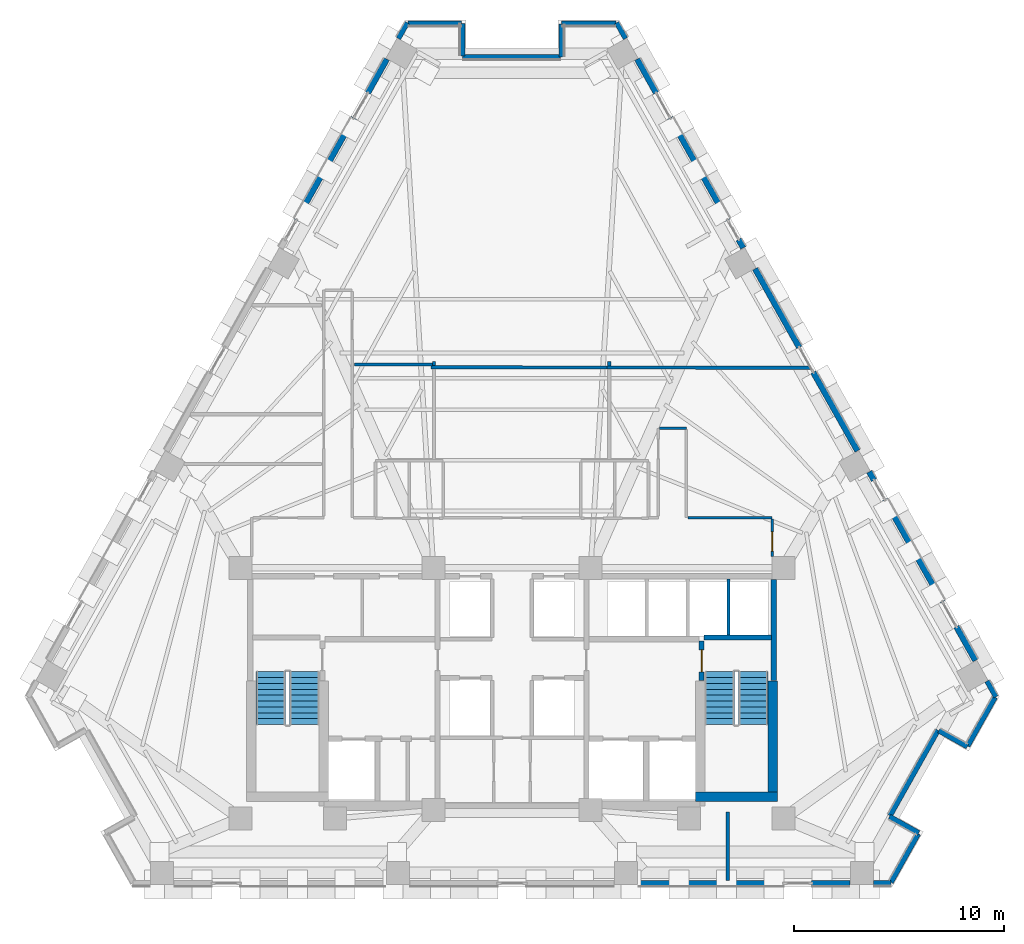
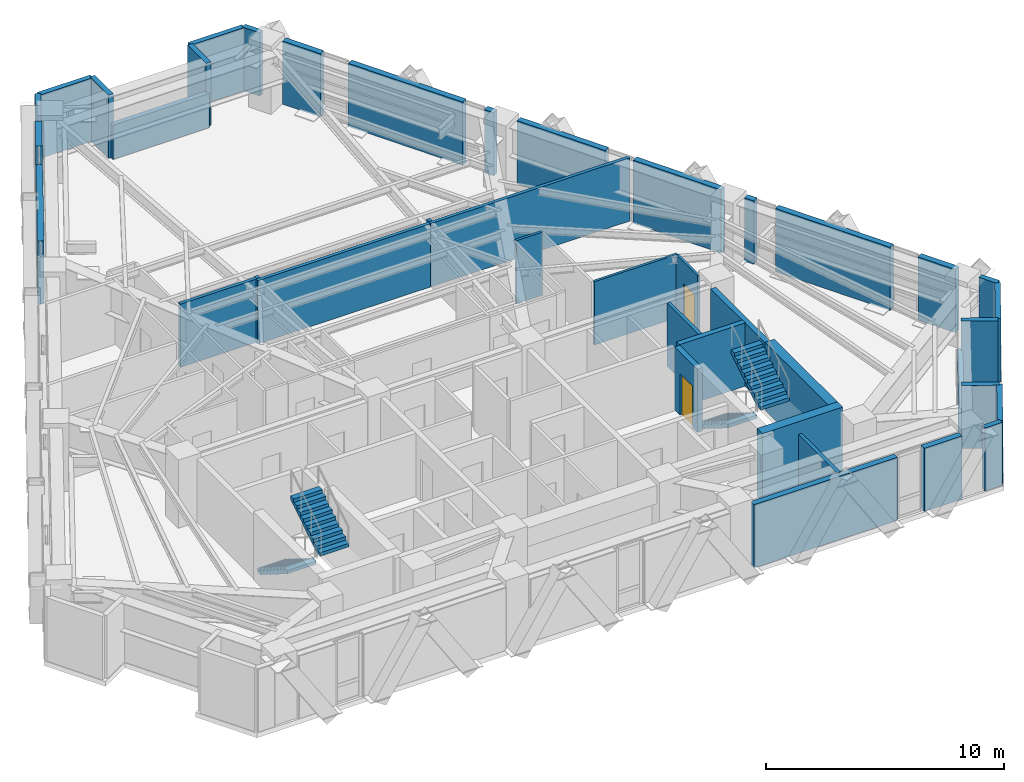
# One storey, part 9 of 13: 41 walls, 4 stair flights, 2 doors, 2 openings, 2 elements without a shape of their own.
"""IFC4 building model written with IfcOpenShell, lengths in metres."""

from ifc_helpers import new_model, si_unit, direction, frame, frame_2d, origin, place, context, subcontext, project, spatial, polyline, rectangle, outline, extrude, material, layer, layer_set, type_object, element, fill, aggregate, save


model = new_model("IFC4")

# Units and contexts
model_context = context("Model", 3, precision=1e-05, world=origin(), true_north=direction((0.0, 1.0)))
body_context = subcontext(model_context, "Body", "Model", "MODEL_VIEW")
ifc_project = project(units=[si_unit("LENGTHUNIT", "METRE"), si_unit("AREAUNIT", "SQUARE_METRE"), si_unit("VOLUMEUNIT", "CUBIC_METRE"), si_unit("PLANEANGLEUNIT", "RADIAN"), si_unit("MASSUNIT", "GRAM", prefix="KILO")], contexts=[model_context])

# Site, building, storey
site_placement = place(None, origin())
site = spatial("IfcSite", under=ifc_project, at=site_placement, CompositionType="ELEMENT")
building_placement = place(site_placement, origin())
building = spatial("IfcBuilding", under=site, at=building_placement, Name="Quenlor Broadcast Tower", CompositionType="ELEMENT")
storey_placement = place(building_placement, frame((0.0, 0.0, 126.5)))
storey = spatial("IfcBuildingStorey", under=building, at=storey_placement, Name="L34", CompositionType="ELEMENT", Elevation=126.5)

# Walls
ifc_material_1 = material(Name="Concrete C50/60", Category="concrete")
ifc_layer_1 = layer(ifc_material_1, 0.449951171875)
ifc_layer_set_1 = layer_set([ifc_layer_1], Name="Core Concrete C50/60 Shear Wall 450")
wall_type_1 = type_object("IfcWallType", Name="Core Concrete C50/60 Shear Wall 450", PredefinedType="SHEAR", material=ifc_layer_set_1)
wall_1_placement = place(storey_placement, frame((8.75, -15.72509765625, 0.0), z_axis=(0.0, 0.0, 1.0), x_axis=(1.0, 0.0, 0.0)))
element("IfcWall", 1, at=wall_1_placement, inside=storey, type_object=wall_type_1, Name="L34 Core Shear Wall WS-E2", PredefinedType="SHEAR", context=body_context, shape_type="SweptSolid", body=[
    extrude(rectangle(XDim=3.89990234375, YDim=0.449951171875, at=frame_2d((1.949951171875, 0.0))), origin(), (0.0, 0.0, 1.0), 3.5),
])
wall_2_placement = place(storey_placement, frame((12.425048828125, -15.72509765625, 0.0), z_axis=(0.0, 0.0, 1.0), x_axis=(0.0, 1.0, 0.0)))
element("IfcWall", 2, at=wall_2_placement, inside=storey, type_object=wall_type_1, Name="L34 Core Shear Wall WF-E", PredefinedType="SHEAR", context=body_context, shape_type="SweptSolid", body=[
    extrude(rectangle(XDim=5.525146484375, YDim=0.449951171875, at=frame_2d((2.7626953125, 0.0))), origin(), (0.0, 0.0, 1.0), 3.5),
])

# Wall, opening, door
ifc_material_2 = material(Name="Concrete C40/50", Category="concrete")
ifc_layer_2 = layer(ifc_material_2, 0.25)
ifc_layer_set_2 = layer_set([ifc_layer_2], Name="Fire Rated Concrete C40/50 Core Wall 250")
wall_type_2 = type_object("IfcWallType", Name="Fire Rated Concrete C40/50 Core Wall 250", PredefinedType="PARTITIONING", material=ifc_layer_set_2)
wall_3_placement = place(storey_placement, frame((9.0400390625, -10.179931640625, 0.0), z_axis=(0.0, 0.0, 1.0), x_axis=(0.0, 1.0, 0.0)))
wall_3 = element("IfcWall", 3, at=wall_3_placement, inside=storey, type_object=wall_type_2, Name="L34 Interior Wall CW-ST2-DR", PredefinedType="PARTITIONING", context=body_context, shape_type="SweptSolid", body=[
    extrude(rectangle(XDim=1.89990234375, YDim=0.25, at=frame_2d((0.949951171875, 0.0))), origin(), (0.0, 0.0, 1.0), 3.25),
])
opening_1_placement = place(wall_3_placement, frame((0.419921875, 0.0, 0.0)))
opening_1 = element("IfcOpeningElement", 4, at=opening_1_placement, cuts=wall_3, Name="Opening FD-1", PredefinedType="OPENING", context=body_context, shape_type="SweptSolid", body=[
    extrude(rectangle(XDim=1.050048828125, YDim=2.14990234375, at=frame_2d((0.52490234375, 1.074951171875))), frame((0.0, 0.135009765625, 0.0), z_axis=(0.0, -1.0, 0.0), x_axis=(1.0, 0.0, 0.0)), (0.0, 0.0, 1.0), 0.27001953125),
])
ifc_material_3 = material(Name="Fire Rated Steel Door Leaf", Category="steel")
door_type_1 = type_object("IfcDoorType", Name="Fire Isolated Stair Door 1050x2150", OperationType="NOTDEFINED", PredefinedType="DOOR", material=ifc_material_3)
door_1_placement = place(opening_1_placement, origin())
door_1 = element("IfcDoor", 5, at=door_1_placement, inside=storey, type_object=door_type_1, Name="L34 Door DR-ST2", OperationType="SINGLE_SWING_RIGHT", OverallHeight=2.14990234375, OverallWidth=1.050048828125, PredefinedType="DOOR", context=body_context, shape_type="SweptSolid", body=[
    extrude(rectangle(XDim=1.050048828125, YDim=2.14990234375, at=frame_2d((0.52490234375, 1.074951171875))), frame((0.0, 0.02490234375, 0.0), z_axis=(0.0, -1.0, 0.0), x_axis=(1.0, 0.0, 0.0)), (0.0, 0.0, 1.0), 0.050048828125),
])
fill(opening_1, door_1)

# Walls
wall_4_placement = place(storey_placement, frame((9.159912109375, -8.1201171875, 0.0), z_axis=(0.0, 0.0, 1.0), x_axis=(1.0, 0.0, 0.0)))
element("IfcWall", 6, at=wall_4_placement, inside=storey, type_object=wall_type_2, Name="L34 Interior Wall CW-ST2-N", PredefinedType="PARTITIONING", context=body_context, shape_type="SweptSolid", body=[
    extrude(rectangle(XDim=3.219970703125, YDim=0.25, at=frame_2d((1.60986328125, 0.0))), origin(), (0.0, 0.0, 1.0), 3.25),
])
wall_5_placement = place(storey_placement, frame((12.47998046875, -10.179931640625, 0.0), z_axis=(0.0, 0.0, 1.0), x_axis=(0.0, 1.0, 0.0)))
element("IfcWall", 7, at=wall_5_placement, inside=storey, type_object=wall_type_2, Name="L34 Interior Wall CW-ST2-E2", PredefinedType="PARTITIONING", context=body_context, shape_type="SweptSolid", body=[
    extrude(rectangle(XDim=4.827880859375, YDim=0.25, at=frame_2d((2.4140625, 0.0))), origin(), (0.0, 0.0, 1.0), 3.25),
])
ifc_material_4 = material(Name="Gypsum Fireboard Partition", Category="other")
ifc_layer_3 = layer(ifc_material_4, 0.159912109375)
ifc_layer_set_3 = layer_set([ifc_layer_3], Name="Fire Rated Shaft and Corridor Partition 160")
wall_type_3 = type_object("IfcWallType", Name="Fire Rated Shaft and Corridor Partition 160", PredefinedType="PARTITIONING", material=ifc_layer_set_3)
wall_6_placement = place(storey_placement, frame((10.324951171875, -7.992919921875, 0.0), z_axis=(0.0, 0.0, 1.0), x_axis=(0.0, 1.0, 0.0)))
element("IfcWall", 8, at=wall_6_placement, inside=storey, type_object=wall_type_3, Name="L34 Interior Wall CW-PLH-D3", PredefinedType="PARTITIONING", context=body_context, shape_type="SweptSolid", body=[
    extrude(rectangle(XDim=2.65283203125, YDim=0.159912109375, at=frame_2d((1.326416015625, 0.0))), origin(), (0.0, 0.0, 1.0), 3.25),
])
wall_7_placement = place(storey_placement, frame((14.233154296875, 4.75, 0.0), z_axis=(0.0, 0.0, 1.0), x_axis=(-0.999999928632, 0.000377805177, 0.0)))
element("IfcWall", 9, at=wall_7_placement, inside=storey, type_object=wall_type_3, Name="L34 Interior Wall PW-DV-02", PredefinedType="PARTITIONING", context=body_context, shape_type="SweptSolid", body=[
    extrude(rectangle(XDim=9.693115234375, YDim=0.159912109375, at=frame_2d((4.8466796875, 0.0))), origin(), (0.0, 0.0, 1.0), 3.25),
])
wall_8_placement = place(storey_placement, frame((-3.79541015625, 4.89990234375, 0.0), z_axis=(0.0, 0.0, 1.0), x_axis=(-1.0, 0.0, 0.0)))
element("IfcWall", 10, at=wall_8_placement, inside=storey, type_object=wall_type_3, Name="L34 Interior Wall PW-DV-03", PredefinedType="PARTITIONING", context=body_context, shape_type="SweptSolid", body=[
    extrude(rectangle(XDim=3.724609375, YDim=0.159912109375, at=frame_2d((1.8623046875, 0.0))), origin(), (0.0, 0.0, 1.0), 3.25),
])
wall_9_placement = place(storey_placement, frame((4.5380859375, 4.75390625, 0.0), z_axis=(0.0, 0.0, 1.0), x_axis=(-0.999999181944, 0.001279105904, 0.0)))
element("IfcWall", 11, at=wall_9_placement, inside=storey, type_object=wall_type_3, Name="L34 Interior Wall PW-DV-04", PredefinedType="PARTITIONING", context=body_context, shape_type="SweptSolid", body=[
    extrude(rectangle(XDim=8.398193359375, YDim=0.159912109375, at=frame_2d((4.19921875, 0.0))), origin(), (0.0, 0.0, 1.0), 3.25),
])
wall_10_placement = place(storey_placement, frame((4.639892578125, 4.835693359375, 0.0), z_axis=(0.0, 0.0, 1.0), x_axis=(0.0, 1.0, 0.0)))
element("IfcWall", 12, at=wall_10_placement, inside=storey, type_object=wall_type_3, Name="L34 Interior Wall PW-DV-06S2", PredefinedType="PARTITIONING", context=body_context, shape_type="SweptSolid", body=[
    extrude(rectangle(XDim=0.204345703125, YDim=0.159912109375, at=frame_2d((0.10205078125, 0.0))), origin(), (0.0, 0.0, 1.0), 3.25),
])
wall_11_placement = place(storey_placement, frame((-3.719970703125, 5.0400390625, 0.0), z_axis=(0.0, 0.0, 1.0), x_axis=(0.0, -1.0, 0.0)))
element("IfcWall", 13, at=wall_11_placement, inside=storey, type_object=wall_type_3, Name="L34 Interior Wall PW-DV-07", PredefinedType="PARTITIONING", context=body_context, shape_type="SweptSolid", body=[
    extrude(rectangle(XDim=0.193603515625, YDim=0.159912109375, at=frame_2d((0.0966796875, 0.0))), origin(), (0.0, 0.0, 1.0), 3.25),
])
wall_12_placement = place(storey_placement, frame((10.294921875, -19.697998046875, 0.0), z_axis=(0.0, 0.0, 1.0), x_axis=(0.0, 1.0, 0.0)))
element("IfcWall", 14, at=wall_12_placement, inside=storey, type_object=wall_type_3, Name="L34 Interior Wall PW-DV-09", PredefinedType="PARTITIONING", context=body_context, shape_type="SweptSolid", body=[
    extrude(rectangle(XDim=3.248046875, YDim=0.159912109375, at=frame_2d((1.6240234375, 0.0))), origin(), (0.0, 0.0, 1.0), 3.25),
])
ifc_material_5 = material(Name="Gypsum Plasterboard Partition", Category="other")
ifc_layer_4 = layer(ifc_material_5, 0.1201171875)
ifc_layer_set_4 = layer_set([ifc_layer_4], Name="Standard Office Partition 120")
wall_type_4 = type_object("IfcWallType", Name="Standard Office Partition 120", PredefinedType="PARTITIONING", material=ifc_layer_set_4)
wall_13_placement = place(storey_placement, frame((7.0419921875, 1.85009765625, 0.0), z_axis=(0.0, 0.0, 1.0), x_axis=(1.0, 0.0, 0.0)))
element("IfcWall", 15, at=wall_13_placement, inside=storey, type_object=wall_type_4, Name="L34 Interior Wall PW-CR-08", PredefinedType="PARTITIONING", context=body_context, shape_type="SweptSolid", body=[
    extrude(rectangle(XDim=1.278076171875, YDim=0.1201171875, at=frame_2d((0.63916015625, 0.0))), origin(), (0.0, 0.0, 1.0), 3.25),
])
wall_14_placement = place(storey_placement, frame((8.382080078125, -2.39990234375, 0.0), z_axis=(0.0, 0.0, 1.0), x_axis=(1.0, 0.0, 0.0)))
element("IfcWall", 16, at=wall_14_placement, inside=storey, type_object=wall_type_4, Name="L34 Interior Wall PW-CR-10", PredefinedType="PARTITIONING", context=body_context, shape_type="SweptSolid", body=[
    extrude(rectangle(XDim=4.02783203125, YDim=0.1201171875, at=frame_2d((2.013916015625, 0.0))), origin(), (0.0, 0.0, 1.0), 3.25),
])

# Wall, opening, door
wall_15_placement = place(storey_placement, frame((12.409912109375, -2.4619140625, 0.0), z_axis=(0.0, 0.0, 1.0), x_axis=(0.0, -1.0, 0.0)))
wall_15 = element("IfcWall", 17, at=wall_15_placement, inside=storey, type_object=wall_type_4, Name="L34 Interior Wall PW-CR-11", PredefinedType="PARTITIONING", context=body_context, shape_type="SweptSolid", body=[
    extrude(rectangle(XDim=1.7861328125, YDim=0.1201171875, at=frame_2d((0.89306640625, 0.0))), origin(), (0.0, 0.0, 1.0), 3.25),
])
opening_2_placement = place(wall_15_placement, frame((0.623046875, 0.0, 0.0)))
opening_2 = element("IfcOpeningElement", 18, at=opening_2_placement, cuts=wall_15, Name="Opening ID-1", PredefinedType="OPENING", context=body_context, shape_type="SweptSolid", body=[
    extrude(rectangle(XDim=0.919921875, YDim=2.1201171875, at=frame_2d((0.4599609375, 1.06005859375))), frame((0.0, 0.070068359375, 0.0), z_axis=(0.0, -1.0, 0.0), x_axis=(1.0, 0.0, 0.0)), (0.0, 0.0, 1.0), 0.14013671875),
])
ifc_material_6 = material(Name="Solid Core Timber Oak", Category="wood")
door_type_2 = type_object("IfcDoorType", Name="Single Leaf Timber Office Door 920x2120", OperationType="NOTDEFINED", PredefinedType="DOOR", material=ifc_material_6)
door_2_placement = place(opening_2_placement, origin())
door_2 = element("IfcDoor", 19, at=door_2_placement, inside=storey, type_object=door_type_2, Name="L34 Door DR-RM07", OperationType="SINGLE_SWING_LEFT", OverallHeight=2.1201171875, OverallWidth=0.919921875, PredefinedType="DOOR", context=body_context, shape_type="SweptSolid", body=[
    extrude(rectangle(XDim=0.919921875, YDim=2.1201171875, at=frame_2d((0.4599609375, 1.06005859375))), frame((0.0, 0.02490234375, 0.0), z_axis=(0.0, -1.0, 0.0), x_axis=(1.0, 0.0, 0.0)), (0.0, 0.0, 1.0), 0.050048828125),
])
fill(opening_2, door_2)

# Walls
ifc_material_7 = material(Name="Precast concrete C40/50", Category="concrete")
ifc_layer_5 = layer(ifc_material_7, 0.239990234375)
ifc_layer_set_5 = layer_set([ifc_layer_5], Name="Terrace Threshold Precast Concrete C40/50 Wall 240")
wall_type_5 = type_object("IfcWallType", Name="Terrace Threshold Precast Concrete C40/50 Wall 240", PredefinedType="STANDARD", material=ifc_layer_set_5)
wall_16_placement = place(storey_placement, frame((18.083984375, -19.840087890625, 0.0), z_axis=(0.0, 0.0, 1.0), x_axis=(-1.0, 0.0, 0.0)))
element("IfcWall", 20, at=wall_16_placement, inside=storey, type_object=wall_type_5, Name="L34 Exterior Wall L34-SHD-SS0", PredefinedType="STANDARD", context=body_context, shape_type="SweptSolid", body=[
    extrude(rectangle(XDim=0.83642578125, YDim=0.239990234375, at=frame_2d((0.418212890625, 0.0))), origin(), (0.0, 0.0, 1.0), 3.25),
])
for number, where, z_axis, x_axis, name in (
    (21, (4.992919921875, 21.197265625, 0.0), (0.0, 0.0, 1.0), (0.490355003566, -0.871522788272, 0.0), "L34 Exterior Wall L34-SHD-NES0"),
    (22, (22.65380859375, -10.199951171875, 0.0), (0.0, 0.0, 1.0), (0.490355003566, -0.871522788272, 0.0), "L34 Exterior Wall L34-SHD-NES1"),
    (23, (-5.417236328125, 20.443115234375, 0.0), (0.0, 0.0, 1.0), (0.490355003566, 0.871522788272, 0.0), "L34 Exterior Wall L34-SHD-NWS1"),
):
    element("IfcWall", number, at=place(storey_placement, frame(where, z_axis=z_axis, x_axis=x_axis)), inside=storey, type_object=wall_type_5, Name=name, PredefinedType="STANDARD", context=body_context, shape_type="SweptSolid", body=[
        extrude(rectangle(XDim=0.865234375, YDim=0.239990234375, at=frame_2d((0.4326171875, 0.0))), origin(), (0.0, 0.0, 1.0), 3.25),
    ])
wall_17_placement = place(storey_placement, frame((19.39892578125, -17.4423828125, 0.0), z_axis=(0.0, 0.0, 1.0), x_axis=(-0.871575537125, 0.490261239633, 0.0)))
element("IfcWall", 24, at=wall_17_placement, inside=storey, type_object=wall_type_5, Name="L34 Exterior Wall L34-CNR-01", PredefinedType="STANDARD", context=body_context, shape_type="SweptSolid", body=[
    extrude(rectangle(XDim=1.60009765625, YDim=0.239990234375, at=frame_2d((0.800048828125, 0.0))), origin(), (0.0, 0.0, 1.0), 3.25),
])
wall_18_placement = place(storey_placement, frame((18.024169921875, -16.623046875, 0.0), z_axis=(0.0, 0.0, 1.0), x_axis=(0.490273623647, 0.871568571001, 0.0)))
element("IfcWall", 25, at=wall_18_placement, inside=storey, type_object=wall_type_5, Name="L34 Exterior Wall L34-CNR-02", PredefinedType="STANDARD", context=body_context, shape_type="SweptSolid", body=[
    extrude(rectangle(XDim=4.679931640625, YDim=0.239990234375, at=frame_2d((2.33984375, 0.0))), origin(), (0.0, 0.0, 1.0), 1.75),
])
wall_19_placement = place(storey_placement, frame((20.353515625, -12.563720703125, 0.0), z_axis=(0.0, 0.0, 1.0), x_axis=(0.871546278971, -0.490313250496, 0.0)))
element("IfcWall", 26, at=wall_19_placement, inside=storey, type_object=wall_type_5, Name="L34 Exterior Wall L34-CNR-03", PredefinedType="STANDARD", context=body_context, shape_type="SweptSolid", body=[
    extrude(rectangle(XDim=1.56005859375, YDim=0.239990234375, at=frame_2d((0.780029296875, 0.0))), origin(), (0.0, 0.0, 1.0), 3.25),
])
wall_20_placement = place(storey_placement, frame((21.732666015625, -13.293701171875, 0.0), z_axis=(0.0, 0.0, 1.0), x_axis=(0.490265590412, 0.871573089797, 0.0)))
element("IfcWall", 27, at=wall_20_placement, inside=storey, type_object=wall_type_5, Name="L34 Exterior Wall L34-CNR-04", PredefinedType="STANDARD", context=body_context, shape_type="SweptSolid", body=[
    extrude(rectangle(XDim=2.6640625, YDim=0.239990234375, at=frame_2d((1.33203125, 0.0))), origin(), (0.0, 0.0, 1.0), 3.25),
])
wall_21_placement = place(storey_placement, frame((4.95947265625, 21.16796875, 0.0), z_axis=(0.0, 0.0, 1.0), x_axis=(-1.0, 0.0, 0.0)))
element("IfcWall", 28, at=wall_21_placement, inside=storey, type_object=wall_type_5, Name="L34 Exterior Wall L34-CNR-06", PredefinedType="STANDARD", context=body_context, shape_type="SweptSolid", body=[
    extrude(rectangle(XDim=2.599365234375, YDim=0.239990234375, at=frame_2d((1.2998046875, 0.0))), origin(), (0.0, 0.0, 1.0), 3.25),
])
wall_22_placement = place(storey_placement, frame((2.360107421875, 21.1279296875, 0.0), z_axis=(0.0, 0.0, 1.0), x_axis=(0.0, -1.0, 0.0)))
element("IfcWall", 29, at=wall_22_placement, inside=storey, type_object=wall_type_5, Name="L34 Exterior Wall L34-CNR-07", PredefinedType="STANDARD", context=body_context, shape_type="SweptSolid", body=[
    extrude(rectangle(XDim=1.559814453125, YDim=0.239990234375, at=frame_2d((0.77978515625, 0.0))), origin(), (0.0, 0.0, 1.0), 3.25),
])
wall_23_placement = place(storey_placement, frame((2.320068359375, 19.568115234375, 0.0), z_axis=(0.0, 0.0, 1.0), x_axis=(-1.0, 0.0, 0.0)))
element("IfcWall", 30, at=wall_23_placement, inside=storey, type_object=wall_type_5, Name="L34 Exterior Wall L34-CNR-08", PredefinedType="STANDARD", context=body_context, shape_type="SweptSolid", body=[
    extrude(rectangle(XDim=4.68017578125, YDim=0.239990234375, at=frame_2d((2.340087890625, 0.0))), origin(), (0.0, 0.0, 1.0), 1.75),
])
wall_24_placement = place(storey_placement, frame((-2.360107421875, 19.60791015625, 0.0), z_axis=(0.0, 0.0, 1.0), x_axis=(0.0, 1.0, 0.0)))
element("IfcWall", 31, at=wall_24_placement, inside=storey, type_object=wall_type_5, Name="L34 Exterior Wall L34-CNR-09", PredefinedType="STANDARD", context=body_context, shape_type="SweptSolid", body=[
    extrude(rectangle(XDim=1.56005859375, YDim=0.239990234375, at=frame_2d((0.780029296875, 0.0))), origin(), (0.0, 0.0, 1.0), 3.25),
])
wall_25_placement = place(storey_placement, frame((-2.39990234375, 21.16796875, 0.0), z_axis=(0.0, 0.0, 1.0), x_axis=(-1.0, 0.0, 0.0)))
element("IfcWall", 32, at=wall_25_placement, inside=storey, type_object=wall_type_5, Name="L34 Exterior Wall L34-CNR-10", PredefinedType="STANDARD", context=body_context, shape_type="SweptSolid", body=[
    extrude(rectangle(XDim=2.5595703125, YDim=0.239990234375, at=frame_2d((1.27978515625, 0.0))), origin(), (0.0, 0.0, 1.0), 3.25),
])
wall_26_placement = place(storey_placement, frame((18.074951171875, -19.79638671875, 0.0), z_axis=(0.0, 0.0, 1.0), x_axis=(0.490248170584, 0.871582888335, 0.0)))
element("IfcWall", 33, at=wall_26_placement, inside=storey, type_object=wall_type_5, Name="L34 Exterior Wall L34-CNR-18", PredefinedType="STANDARD", context=body_context, shape_type="SweptSolid", body=[
    extrude(rectangle(XDim=2.660888671875, YDim=0.239990234375, at=frame_2d((1.33056640625, 0.0))), origin(), (0.0, 0.0, 1.0), 3.25),
])
ifc_material_8 = material(Name="Precast concrete C40/50", Category="concrete")
ifc_layer_6 = layer(ifc_material_8, 0.280029296875)
ifc_layer_set_6 = layer_set([ifc_layer_6], Name="Terracotta Precast Concrete C40/50 Facade Wall 280")
wall_type_6 = type_object("IfcWallType", Name="Terracotta Precast Concrete C40/50 Facade Wall 280", PredefinedType="STANDARD", material=ifc_layer_set_6)
wall_27_placement = place(storey_placement, frame((16.117431640625, -19.840087890625, 0.0), z_axis=(0.0, 0.0, 1.0), x_axis=(-1.0, 0.0, 0.0)))
element("IfcWall", 34, at=wall_27_placement, inside=storey, type_object=wall_type_6, Name="L34 Exterior Wall L34-SA-SP1", PredefinedType="STANDARD", context=body_context, shape_type="SweptSolid", body=[
    extrude(rectangle(XDim=1.82568359375, YDim=0.280029296875, at=frame_2d((0.912841796875, 0.0))), origin(), (0.0, 0.0, 1.0), 3.25),
])
wall_28_placement = place(storey_placement, frame((12.978759765625, -19.840087890625, 0.0), z_axis=(0.0, 0.0, 1.0), x_axis=(-1.0, 0.0, 0.0)))
element("IfcWall", 35, at=wall_28_placement, inside=storey, type_object=wall_type_6, Name="L34 Exterior Wall L34-SA-SP2", PredefinedType="STANDARD", context=body_context, shape_type="SweptSolid", body=[
    extrude(rectangle(XDim=6.96044921875, YDim=0.280029296875, at=frame_2d((3.480224609375, 0.0))), origin(), (0.0, 0.0, 1.0), 3.25),
])
wall_29_placement = place(storey_placement, frame((5.97119140625, 19.458251953125, 0.0), z_axis=(0.0, 0.0, 1.0), x_axis=(0.490280102884, -0.871564926277, 0.0)))
element("IfcWall", 36, at=wall_29_placement, inside=storey, type_object=wall_type_6, Name="L34 Exterior Wall L34-NEA-SP1", PredefinedType="STANDARD", context=body_context, shape_type="SweptSolid", body=[
    extrude(rectangle(XDim=1.843505859375, YDim=0.280029296875, at=frame_2d((0.921875, 0.0))), origin(), (0.0, 0.0, 1.0), 3.25),
])
wall_30_placement = place(storey_placement, frame((7.543701171875, 16.662353515625, 0.0), z_axis=(0.0, 0.0, 1.0), x_axis=(0.490298514233, -0.871554569113, 0.0)))
element("IfcWall", 37, at=wall_30_placement, inside=storey, type_object=wall_type_6, Name="L34 Exterior Wall L34-NEA-SP2", PredefinedType="STANDARD", context=body_context, shape_type="SweptSolid", body=[
    extrude(rectangle(XDim=5.597412109375, YDim=0.280029296875, at=frame_2d((2.798828125, 0.0))), origin(), (0.0, 0.0, 1.0), 3.25),
])
for number, where, z_axis, x_axis, name in (
    (38, (10.806396484375, 10.862060546875, 0.0), (0.0, 0.0, 1.0), (0.490412424957, -0.871490478116, 0.0), "L34 Exterior Wall L34-NEA-SP3"),
    (39, (17.0390625, -0.218017578125, 0.0), (0.0, 0.0, 1.0), (0.490009165718, -0.871717280724, 0.0), "L34 Exterior Wall L34-NEC-SP1"),
):
    element("IfcWall", number, at=place(storey_placement, frame(where, z_axis=z_axis, x_axis=x_axis)), inside=storey, type_object=wall_type_6, Name=name, PredefinedType="STANDARD", context=body_context, shape_type="SweptSolid", body=[
        extrude(rectangle(XDim=0.4599609375, YDim=0.280029296875, at=frame_2d((0.22998046875, 0.0))), origin(), (0.0, 0.0, 1.0), 3.25),
    ])
wall_31_placement = place(storey_placement, frame((17.782958984375, -1.540771484375, 0.0), z_axis=(0.0, 0.0, 1.0), x_axis=(0.490265381388, -0.871573207374, 0.0)))
element("IfcWall", 40, at=wall_31_placement, inside=storey, type_object=wall_type_6, Name="L34 Exterior Wall L34-NEC-SP2", PredefinedType="STANDARD", context=body_context, shape_type="SweptSolid", body=[
    extrude(rectangle(XDim=5.59716796875, YDim=0.280029296875, at=frame_2d((2.798583984375, 0.0))), origin(), (0.0, 0.0, 1.0), 3.25),
])
wall_32_placement = place(storey_placement, frame((21.196044921875, -7.6083984375, 0.0), z_axis=(0.0, 0.0, 1.0), x_axis=(0.490280102884, -0.871564926277, 0.0)))
element("IfcWall", 41, at=wall_32_placement, inside=storey, type_object=wall_type_6, Name="L34 Exterior Wall L34-NEC-SP3", PredefinedType="STANDARD", context=body_context, shape_type="SweptSolid", body=[
    extrude(rectangle(XDim=1.843505859375, YDim=0.280029296875, at=frame_2d((0.921875, 0.0))), origin(), (0.0, 0.0, 1.0), 3.25),
])
for number, where, z_axis, x_axis, name in (
    (42, (11.59326171875, 9.463134765625, 0.0), (0.0, 0.0, 1.0), (0.490293592365, -0.871557337922, 0.0), "L34 Exterior Wall L34-NE-SP1"),
    (43, (14.369873046875, 4.527099609375, 0.0), (0.0, 0.0, 1.0), (0.490293592365, -0.871557337922, 0.0), "L34 Exterior Wall L34-NE-SP2"),
):
    element("IfcWall", number, at=place(storey_placement, frame(where, z_axis=z_axis, x_axis=x_axis)), inside=storey, type_object=wall_type_6, Name=name, PredefinedType="STANDARD", context=body_context, shape_type="SweptSolid", body=[
        extrude(rectangle(XDim=4.29931640625, YDim=0.280029296875, at=frame_2d((2.149658203125, 0.0))), origin(), (0.0, 0.0, 1.0), 3.25),
    ])
wall_33_placement = place(storey_placement, frame((-10.2880859375, 11.783935546875, 0.0), z_axis=(0.0, 0.0, 1.0), x_axis=(0.490298514233, 0.871554569113, 0.0)))
element("IfcWall", 44, at=wall_33_placement, inside=storey, type_object=wall_type_6, Name="L34 Exterior Wall L34-NWC-SP2", PredefinedType="STANDARD", context=body_context, shape_type="SweptSolid", body=[
    extrude(rectangle(XDim=5.597412109375, YDim=0.280029296875, at=frame_2d((2.798828125, 0.0))), origin(), (0.0, 0.0, 1.0), 3.25),
])
wall_34_placement = place(storey_placement, frame((-6.875, 17.8515625, 0.0), z_axis=(0.0, 0.0, 1.0), x_axis=(0.490280102884, 0.871564926277, 0.0)))
element("IfcWall", 45, at=wall_34_placement, inside=storey, type_object=wall_type_6, Name="L34 Exterior Wall L34-NWC-SP3", PredefinedType="STANDARD", context=body_context, shape_type="SweptSolid", body=[
    extrude(rectangle(XDim=1.843505859375, YDim=0.280029296875, at=frame_2d((0.921875, 0.0))), origin(), (0.0, 0.0, 1.0), 3.25),
])

# Stair, stair flights
ifc_material_9 = material(Name="Precast concrete C40/50", Category="concrete")
stair_type = type_object("IfcStairType", Name="Precast Concrete C40/50 Dogleg Stair H350", PredefinedType="HALF_TURN_STAIR", material=ifc_material_9)
stair_1_placement = place(storey_placement, origin())
stair_1 = element("IfcStair", 46, at=stair_1_placement, inside=storey, type_object=stair_type, Name="L34 West Core Fire-Isolated Exit Stair ST-1", PredefinedType="HALF_TURN_STAIR")
ifc_material_10 = material(Name="Precast concrete C40/50", Category="concrete")
ifc_layer_7 = layer(ifc_material_10, 0.159912109375)
ifc_layer_set_7 = layer_set([ifc_layer_7], Name="Precast Concrete C40/50 Stair Flight H350")
stair_flight_type = type_object("IfcStairFlightType", Name="Precast Concrete C40/50 Stair Flight H350", PredefinedType="STRAIGHT", material=ifc_layer_set_7)
stair_flight_1_placement = place(storey_placement, frame((-11.5, -9.75, 0.0), z_axis=(0.0, 0.0, 1.0), x_axis=(0.0, -1.0, 0.0)))
stair_flight_1 = element("IfcStairFlight", 47, at=stair_flight_1_placement, type_object=stair_flight_type, Name="ST-1 flight 1", NumberOfRisers=10, NumberOfTreads=9, PredefinedType="STRAIGHT", RiserHeight=0.175, TreadLength=0.28, context=body_context, shape_type="SweptSolid", body=[
    extrude(outline(polyline([(0.0, 0.0), (0.0, 0.175048828125), (0.280029296875, 0.175048828125), (0.280029296875, 0.35009765625), (0.56005859375, 0.35009765625), (0.56005859375, 0.52490234375), (0.840087890625, 0.52490234375), (0.840087890625, 0.699951171875), (1.1201171875, 0.699951171875), (1.1201171875, 0.875), (1.39990234375, 0.875), (1.39990234375, 1.050048828125), (1.679931640625, 1.050048828125), (1.679931640625, 1.22509765625), (1.9599609375, 1.22509765625), (1.9599609375, 1.39990234375), (2.239990234375, 1.39990234375), (2.239990234375, 1.574951171875), (2.52001953125, 1.574951171875), (2.52001953125, 1.75), (2.52001953125, 1.398193359375), (0.28271484375, 0.0), (0.0, 0.0)])), frame((0.0, 0.699951171875, 0.0), z_axis=(0.0, -1.0, 0.0), x_axis=(1.0, 0.0, 0.0)), (0.0, 0.0, 1.0), 1.39990234375),
])
stair_flight_2_placement = place(storey_placement, frame((-9.89990234375, -12.27001953125, 1.75), z_axis=(0.0, 0.0, 1.0), x_axis=(0.0, 1.0, 0.0)))
stair_flight_2 = element("IfcStairFlight", 48, at=stair_flight_2_placement, type_object=stair_flight_type, Name="ST-1 flight 2", NumberOfRisers=10, NumberOfTreads=9, PredefinedType="STRAIGHT", RiserHeight=0.175, TreadLength=0.28, context=body_context, shape_type="SweptSolid", body=[
    extrude(outline(polyline([(0.0, 0.0), (0.0, 0.175048828125), (0.280029296875, 0.175048828125), (0.280029296875, 0.35009765625), (0.56005859375, 0.35009765625), (0.56005859375, 0.52490234375), (0.840087890625, 0.52490234375), (0.840087890625, 0.699951171875), (1.1201171875, 0.699951171875), (1.1201171875, 0.875), (1.39990234375, 0.875), (1.39990234375, 1.050048828125), (1.679931640625, 1.050048828125), (1.679931640625, 1.22509765625), (1.9599609375, 1.22509765625), (1.9599609375, 1.39990234375), (2.239990234375, 1.39990234375), (2.239990234375, 1.574951171875), (2.52001953125, 1.574951171875), (2.52001953125, 1.75), (2.52001953125, 1.398193359375), (0.28271484375, 0.0), (0.0, 0.0)])), frame((0.0, 0.699951171875, 0.0), z_axis=(0.0, -1.0, 0.0), x_axis=(1.0, 0.0, 0.0)), (0.0, 0.0, 1.0), 1.39990234375),
])
aggregate(stair_1, [stair_flight_1, stair_flight_2])

stair_2_placement = place(storey_placement, origin())
stair_2 = element("IfcStair", 49, at=stair_2_placement, inside=storey, type_object=stair_type, Name="L34 East Core Fire-Isolated Exit Stair ST-2", PredefinedType="HALF_TURN_STAIR")
stair_flight_3_placement = place(storey_placement, frame((9.89990234375, -9.75, 0.0), z_axis=(0.0, 0.0, 1.0), x_axis=(0.0, -1.0, 0.0)))
stair_flight_3 = element("IfcStairFlight", 50, at=stair_flight_3_placement, type_object=stair_flight_type, Name="ST-2 flight 1", NumberOfRisers=10, NumberOfTreads=9, PredefinedType="STRAIGHT", RiserHeight=0.175, TreadLength=0.28, context=body_context, shape_type="SweptSolid", body=[
    extrude(outline(polyline([(0.0, 0.0), (0.0, 0.175048828125), (0.280029296875, 0.175048828125), (0.280029296875, 0.35009765625), (0.56005859375, 0.35009765625), (0.56005859375, 0.52490234375), (0.840087890625, 0.52490234375), (0.840087890625, 0.699951171875), (1.1201171875, 0.699951171875), (1.1201171875, 0.875), (1.39990234375, 0.875), (1.39990234375, 1.050048828125), (1.679931640625, 1.050048828125), (1.679931640625, 1.22509765625), (1.9599609375, 1.22509765625), (1.9599609375, 1.39990234375), (2.239990234375, 1.39990234375), (2.239990234375, 1.574951171875), (2.52001953125, 1.574951171875), (2.52001953125, 1.75), (2.52001953125, 1.398193359375), (0.28271484375, 0.0), (0.0, 0.0)])), frame((0.0, 0.699951171875, 0.0), z_axis=(0.0, -1.0, 0.0), x_axis=(1.0, 0.0, 0.0)), (0.0, 0.0, 1.0), 1.39990234375),
])
stair_flight_4_placement = place(storey_placement, frame((11.5, -12.27001953125, 1.75), z_axis=(0.0, 0.0, 1.0), x_axis=(0.0, 1.0, 0.0)))
stair_flight_4 = element("IfcStairFlight", 51, at=stair_flight_4_placement, type_object=stair_flight_type, Name="ST-2 flight 2", NumberOfRisers=10, NumberOfTreads=9, PredefinedType="STRAIGHT", RiserHeight=0.175, TreadLength=0.28, context=body_context, shape_type="SweptSolid", body=[
    extrude(outline(polyline([(0.0, 0.0), (0.0, 0.175048828125), (0.280029296875, 0.175048828125), (0.280029296875, 0.35009765625), (0.56005859375, 0.35009765625), (0.56005859375, 0.52490234375), (0.840087890625, 0.52490234375), (0.840087890625, 0.699951171875), (1.1201171875, 0.699951171875), (1.1201171875, 0.875), (1.39990234375, 0.875), (1.39990234375, 1.050048828125), (1.679931640625, 1.050048828125), (1.679931640625, 1.22509765625), (1.9599609375, 1.22509765625), (1.9599609375, 1.39990234375), (2.239990234375, 1.39990234375), (2.239990234375, 1.574951171875), (2.52001953125, 1.574951171875), (2.52001953125, 1.75), (2.52001953125, 1.398193359375), (0.28271484375, 0.0), (0.0, 0.0)])), frame((0.0, 0.699951171875, 0.0), z_axis=(0.0, -1.0, 0.0), x_axis=(1.0, 0.0, 0.0)), (0.0, 0.0, 1.0), 1.39990234375),
])
aggregate(stair_2, [stair_flight_3, stair_flight_4])

save(model, "model.ifc")
